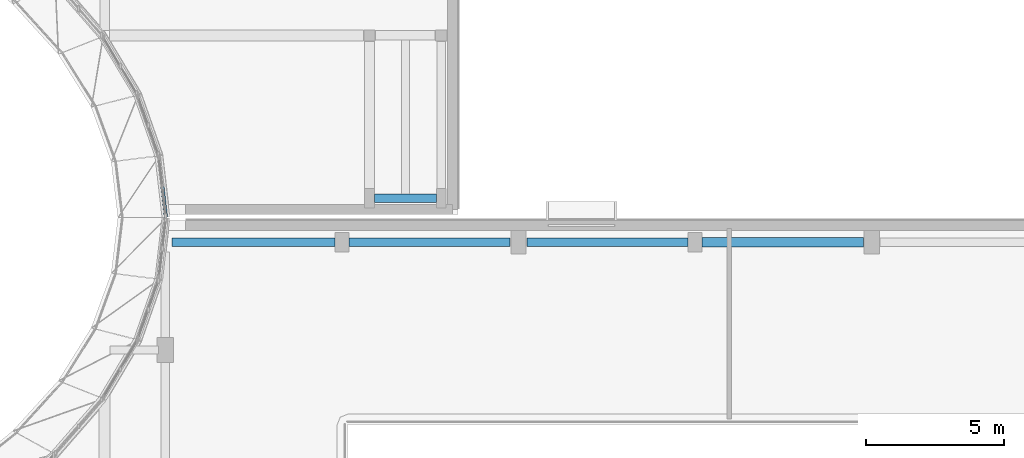
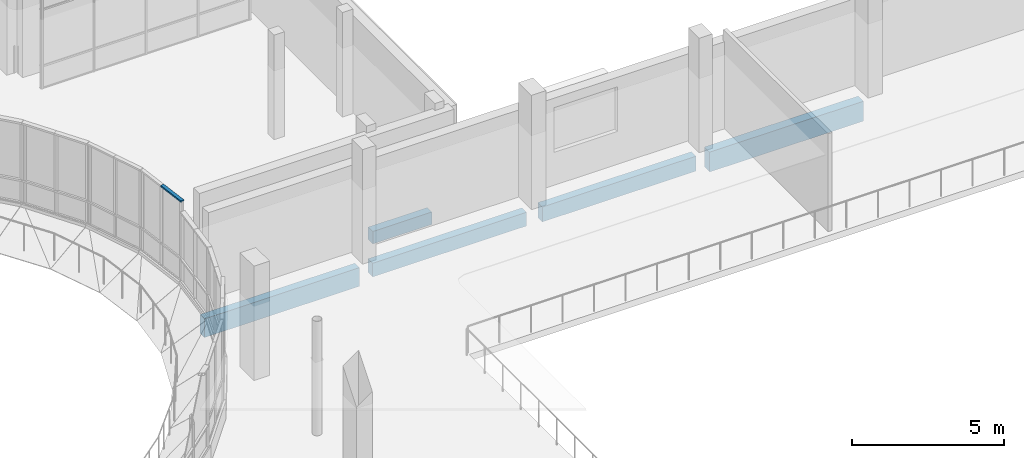
# One storey, part 18 of 73: 5 beams, 1 member, 1 element without a shape of its own.
"""IFC4 building model written with IfcOpenShell, lengths in metres."""

from ifc_helpers import new_model, si_unit, direction, frame, origin, origin_2d, place, context, subcontext, project, spatial, rectangle, extrude, material, material_profile, profile_set, type_object, element, aggregate, save


model = new_model("IFC4")

# Units and contexts
model_context = context("Model", 3, precision=1e-05, world=origin(), true_north=direction((0.0, 1.0)))
body_context = subcontext(model_context, "Body", "Model", "MODEL_VIEW")
ifc_project = project(units=[si_unit("LENGTHUNIT", "METRE"), si_unit("AREAUNIT", "SQUARE_METRE"), si_unit("VOLUMEUNIT", "CUBIC_METRE"), si_unit("PLANEANGLEUNIT", "RADIAN"), si_unit("MASSUNIT", "GRAM", prefix="KILO")], contexts=[model_context])

# Site, building, storey
site_placement = place(None, origin())
site = spatial("IfcSite", under=ifc_project, at=site_placement, CompositionType="ELEMENT")
building_placement = place(site_placement, origin())
building = spatial("IfcBuilding", under=site, at=building_placement, Name="Mzevani Central Library", CompositionType="ELEMENT")
storey_placement = place(building_placement, frame((0.0, 0.0, 9.60009765625)))
storey = spatial("IfcBuildingStorey", under=building, at=storey_placement, Name="L02", CompositionType="ELEMENT", Elevation=9.60009765625)

# Beams
ifc_material_1 = material(Name="Concrete C35/45", Category="concrete")
ifc_material_profile_1 = material_profile(ifc_material_1, rectangle(XDim=0.300048828125, YDim=0.5, at=origin_2d()), Name="RC B300x500")
ifc_profile_set_1 = profile_set([ifc_material_profile_1], Name="Concrete C35/45")
beam_type_1 = type_object("IfcBeamType", Name="Beam RC 300x500", PredefinedType="BEAM", material=ifc_profile_set_1)
beam_1_placement = place(storey_placement, frame((121.77490234375, 76.699951171875, -0.530029296875), z_axis=(1.0, 0.0, 0.0), x_axis=(0.0, 1.0, 0.0)))
element("IfcBeam", 1, at=beam_1_placement, inside=storey, type_object=beam_type_1, Name="L02 V3 Girder B-01 (556)", PredefinedType="BEAM", context=body_context, shape_type="SweptSolid", body=[
    extrude(rectangle(XDim=0.300048828125, YDim=0.5, at=origin_2d()), origin(), (0.0, 0.0, 1.0), 2.25),
])
ifc_material_profile_2 = material_profile(ifc_material_1, rectangle(XDim=0.300048828125, YDim=0.550048828125, at=origin_2d()), Name="RC B300x550")
ifc_profile_set_2 = profile_set([ifc_material_profile_2], Name="Concrete C35/45")
beam_type_2 = type_object("IfcBeamType", Name="Beam RC 300x550", PredefinedType="BEAM", material=ifc_profile_set_2)
beam_2_placement = place(storey_placement, frame((120.85009765625, 75.10009765625, -0.53515625), z_axis=(1.0, 0.0, 0.0), x_axis=(0.0, 1.0, 0.0)))
element("IfcBeam", 2, at=beam_2_placement, inside=storey, type_object=beam_type_2, Name="L02 V1 Girder B-02 (109)", PredefinedType="BEAM", context=body_context, shape_type="SweptSolid", body=[
    extrude(rectangle(XDim=0.300048828125, YDim=0.550048828125, at=origin_2d()), origin(), (0.0, 0.0, 1.0), 5.849853515625),
])
ifc_material_profile_3 = material_profile(ifc_material_1, rectangle(XDim=0.300048828125, YDim=0.60009765625, at=origin_2d()), Name="RC B300x600")
ifc_profile_set_3 = profile_set([ifc_material_profile_3], Name="Concrete C35/45")
beam_type_3 = type_object("IfcBeamType", Name="Beam RC 300x600", PredefinedType="BEAM", material=ifc_profile_set_3)
beam_3_placement = place(storey_placement, frame((127.300048828125, 75.10009765625, -0.56005859375), z_axis=(1.0, 0.0, 0.0), x_axis=(0.0, 1.0, 0.0)))
element("IfcBeam", 3, at=beam_3_placement, inside=storey, type_object=beam_type_3, Name="L02 V1 Girder B-03 (110)", PredefinedType="BEAM", context=body_context, shape_type="SweptSolid", body=[
    extrude(rectangle(XDim=0.300048828125, YDim=0.60009765625, at=origin_2d()), origin(), (0.0, 0.0, 1.0), 5.849853515625),
])

# Curtain wall, member
ifc_material_2 = material(Name="Thermally broken aluminium and Low-E triple glazing", Category="aluminium")
curtain_wall_type = type_object("IfcCurtainWallType", Name="Reading Hall Northlight Curtain Wall", PredefinedType="NOTDEFINED", material=ifc_material_2)
curtain_wall_placement = place(storey_placement, origin())
curtain_wall = element("IfcCurtainWall", 4, at=curtain_wall_placement, inside=storey, type_object=curtain_wall_type, Name="L02 Elliptical Court Curtain Wall 1", PredefinedType="NOTDEFINED")
ifc_material_3 = material(Name="Thermally broken aluminium AW-6060", Category="aluminium")
ifc_material_profile_4 = material_profile(ifc_material_3, rectangle(XDim=0.1298828125, YDim=0.06005859375, at=origin_2d()), Name="ALU T60x130")
ifc_profile_set_4 = profile_set([ifc_material_profile_4], Name="Thermally broken aluminium AW-6060")
member_type = type_object("IfcMemberType", Name="CW Transom 60x130", PredefinedType="USERDEFINED", material=ifc_profile_set_4)
member_placement = place(storey_placement, frame((114.2197265625, 76.00830078125, 3.919921875), z_axis=(-0.114698739584, 0.993400321692, 0.0), x_axis=(-0.993400321692, -0.114698739584, 0.0)))
member = element("IfcMember", 5, at=member_placement, type_object=member_type, Name="L02 Elliptical Court Curtain Wall 1 Transom 3", ObjectType="TRANSOM", PredefinedType="USERDEFINED", context=body_context, shape_type="SweptSolid", body=[
    extrude(rectangle(XDim=0.1298828125, YDim=0.06005859375, at=origin_2d()), origin(), (0.0, 0.0, 1.0), 1.117431640625),
])
aggregate(curtain_wall, [member])

# Beams
ifc_material_4 = material(Name="Precast concrete C40/50", Category="concrete")
ifc_material_profile_5 = material_profile(ifc_material_4, rectangle(XDim=0.35009765625, YDim=0.800048828125, at=origin_2d()), Name="RC SP350x800")
ifc_profile_set_5 = profile_set([ifc_material_profile_5], Name="Precast concrete C40/50")
beam_type_4 = type_object("IfcBeamType", Name="Colonnade Fascia Beam RC 350x800", PredefinedType="SPANDREL", material=ifc_profile_set_5)
beam_4_placement = place(storey_placement, frame((133.64990234375, 75.10009765625, -0.66015625), z_axis=(1.0, 0.0, 0.0), x_axis=(0.0, 1.0, 0.0)))
element("IfcBeam", 6, at=beam_4_placement, inside=storey, type_object=beam_type_4, Name="L02 V1 Girder SP-02 (111)", PredefinedType="SPANDREL", context=body_context, shape_type="SweptSolid", body=[
    extrude(rectangle(XDim=0.35009765625, YDim=0.800048828125, at=origin_2d()), origin(), (0.0, 0.0, 1.0), 5.85009765625),
])
ifc_material_profile_6 = material_profile(ifc_material_4, rectangle(XDim=0.300048828125, YDim=0.75, at=origin_2d()), Name="RC SP300x750")
ifc_profile_set_6 = profile_set([ifc_material_profile_6], Name="Precast concrete C40/50")
beam_type_5 = type_object("IfcBeamType", Name="Edge Spandrel Beam RC 300x750", PredefinedType="SPANDREL", material=ifc_profile_set_6)
beam_5_placement = place(storey_placement, frame((114.449951171875, 75.10009765625, -0.635009765625), z_axis=(1.0, 0.0, 0.0), x_axis=(0.0, 1.0, 0.0)))
element("IfcBeam", 7, at=beam_5_placement, inside=storey, type_object=beam_type_5, Name="L02 V1 Girder SP-01 (108)", PredefinedType="SPANDREL", context=body_context, shape_type="SweptSolid", body=[
    extrude(rectangle(XDim=0.300048828125, YDim=0.75, at=origin_2d()), origin(), (0.0, 0.0, 1.0), 5.900146484375),
])

save(model, "model.ifc")
